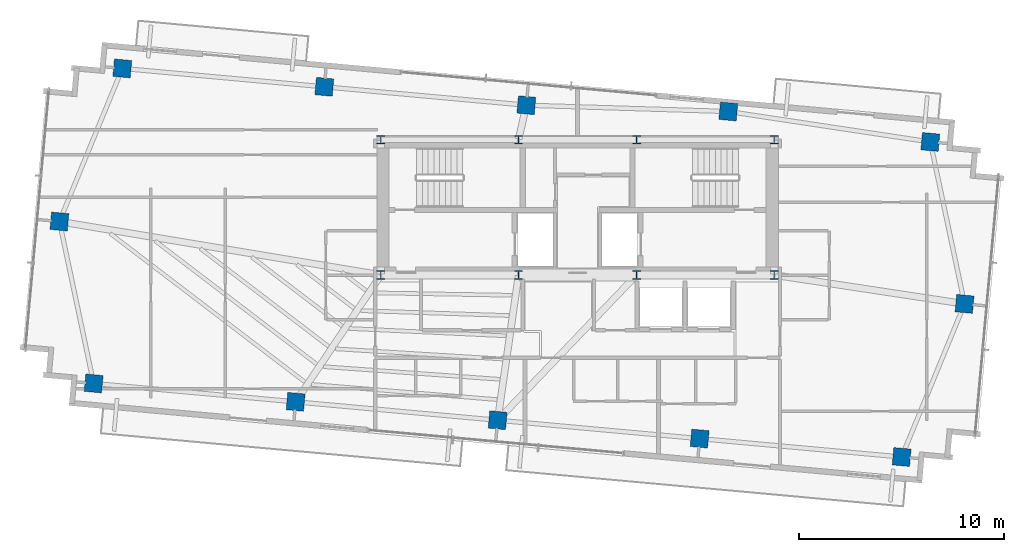
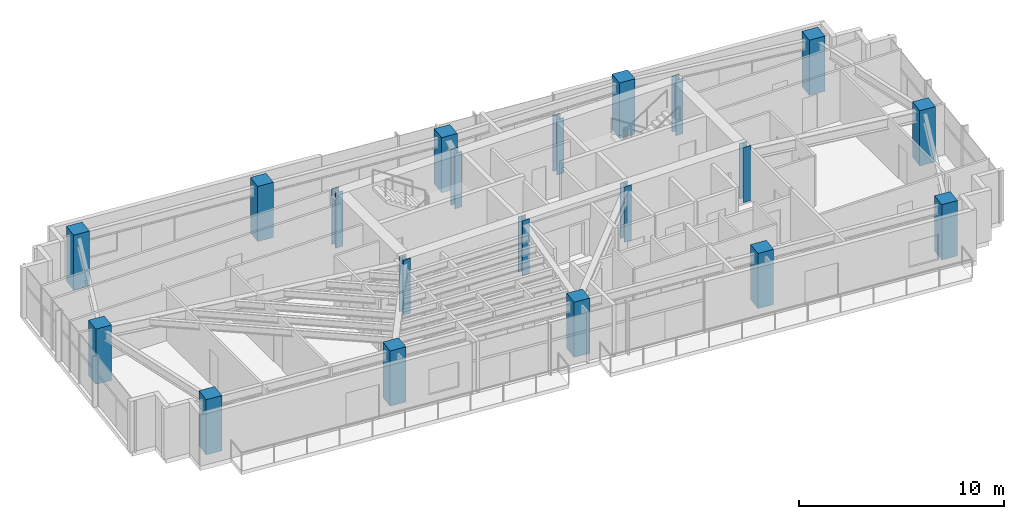
# One storey, part 1 of 22: 20 columns.
"""IFC4 building model written with IfcOpenShell, lengths in metres."""

from ifc_helpers import new_model, si_unit, direction, frame, origin, origin_2d, place, context, subcontext, project, spatial, rectangle, i_section, extrude, source, transform, mapped, material, material_profile, profile_set, type_object, type_shapes, element, save


model = new_model("IFC4")

# Units and contexts
model_context = context("Model", 3, precision=1e-05, world=origin(), true_north=direction((0.0, 1.0)))
body_context = subcontext(model_context, "Body", "Model", "MODEL_VIEW")
ifc_project = project(units=[si_unit("LENGTHUNIT", "METRE"), si_unit("AREAUNIT", "SQUARE_METRE"), si_unit("VOLUMEUNIT", "CUBIC_METRE"), si_unit("PLANEANGLEUNIT", "RADIAN"), si_unit("MASSUNIT", "GRAM", prefix="KILO")], contexts=[model_context])

# Site, building, storey
site_placement = place(None, origin())
site = spatial("IfcSite", under=ifc_project, at=site_placement, CompositionType="ELEMENT")
building_placement = place(site_placement, origin())
building = spatial("IfcBuilding", under=site, at=building_placement, Name="Astriad Promenade Condominiums", CompositionType="ELEMENT")
storey_placement = place(building_placement, frame((0.0, 0.0, 239.699951171875)))
storey = spatial("IfcBuildingStorey", under=building, at=storey_placement, Name="L69", CompositionType="ELEMENT", Elevation=239.699951171875)

# Columns
ifc_material_1 = material(Name="Steel ASTM A992 Grade 50", Category="steel")
ifc_material_profile_1 = material_profile(ifc_material_1, i_section(OverallWidth=0.4091796875, OverallDepth=0.42529296875, WebThickness=0.03271484375, FlangeThickness=0.052490234375, FilletRadius=0.017822265625, at=origin_2d()), Name="W14X283")
ifc_profile_set_1 = profile_set([ifc_material_profile_1], Name="Steel ASTM A992 Grade 50")
column_type_1 = type_object("IfcColumnType", Name="STEEL CORE PILASTER W14X283", PredefinedType="PILASTER", material=ifc_profile_set_1)
shared_shape_1 = source(origin(), body_context, "Body", "SweptSolid", [
    extrude(i_section(OverallWidth=0.4091796875, OverallDepth=0.42529296875, WebThickness=0.03271484375, FlangeThickness=0.052490234375, FilletRadius=0.017822265625, at=origin_2d()), origin(), (0.0, 0.0, 1.0), 3.296142578125),
])
type_shapes(column_type_1, [shared_shape_1])
for number, where, z_axis, x_axis, name in (
    (1, (26.39990234375, 17.39990234375, 0.001953125), (0.0, 0.0, 1.0), (1.0, 0.0, 0.0), "Core Pilaster Column CP1 (L69)"),
    (2, (33.1201171875, 17.39990234375, 0.001953125), (0.0, 0.0, 1.0), (1.0, 0.0, 0.0), "Core Pilaster Column CP2 (L69)"),
    (3, (38.8798828125, 17.39990234375, 0.001953125), (0.0, 0.0, 1.0), (1.0, 0.0, 0.0), "Core Pilaster Column CP3 (L69)"),
    (4, (45.60009765625, 17.39990234375, 0.001953125), (0.0, 0.0, 1.0), (1.0, 0.0, 0.0), "Core Pilaster Column CP4 (L69)"),
    (5, (26.39990234375, 24.0, 0.001953125), (0.0, 0.0, 1.0), (1.0, 0.0, 0.0), "Core Pilaster Column CP5 (L69)"),
    (6, (33.1201171875, 24.0, 0.001953125), (0.0, 0.0, 1.0), (1.0, 0.0, 0.0), "Core Pilaster Column CP6 (L69)"),
    (7, (38.8798828125, 24.0, 0.001953125), (0.0, 0.0, 1.0), (1.0, 0.0, 0.0), "Core Pilaster Column CP7 (L69)"),
    (8, (45.60009765625, 24.0, 0.001953125), (0.0, 0.0, 1.0), (1.0, 0.0, 0.0), "Core Pilaster Column CP8 (L69)"),
):
    element("IfcColumn", number, at=place(storey_placement, frame(where, z_axis=z_axis, x_axis=x_axis)), inside=storey, type_object=column_type_1, Name=name, PredefinedType="PILASTER", context=body_context, shape_type="MappedRepresentation", body=[
        mapped(shared_shape_1, transform((0.0, 0.0, 0.0), scale=1.0)),
    ])
ifc_material_2 = material(Name="Concrete C50/60", Category="concrete")
ifc_material_profile_2 = material_profile(ifc_material_2, rectangle(XDim=0.85009765625, YDim=0.85009765625, at=origin_2d()), Name="RC-COL-850X850")
ifc_profile_set_2 = profile_set([ifc_material_profile_2], Name="Concrete C50/60")
column_type_2 = type_object("IfcColumnType", Name="CONCRETE TOWER COLUMN 850X850", PredefinedType="COLUMN", material=ifc_profile_set_2)
shared_shape_2 = source(origin(), body_context, "Body", "SweptSolid", [
    extrude(rectangle(XDim=0.85009765625, YDim=0.85009765625, at=origin_2d()), origin(), (0.0, 0.0, 1.0), 3.296142578125),
])
type_shapes(column_type_2, [shared_shape_2])
for number, where, z_axis, x_axis, name in (
    (9, (12.3818359375, 12.106201171875, 0.001953125), (0.0, 0.0, 1.0), (0.995884398616, -0.090632580198, 0.0), "Perimeter Column PC01 (L69)"),
    (10, (22.2412109375, 11.208984375, 0.001953125), (0.0, 0.0, 1.0), (0.995884398616, -0.090632580198, 0.0), "Perimeter Column PC02 (L69)"),
    (11, (32.100341796875, 10.311767578125, 0.001953125), (0.0, 0.0, 1.0), (0.995884398616, -0.090632580198, 0.0), "Perimeter Column PC03 (L69)"),
    (12, (41.959716796875, 9.41455078125, 0.001953125), (0.0, 0.0, 1.0), (0.995884398616, -0.090632580198, 0.0), "Perimeter Column PC04 (L69)"),
    (13, (51.81884765625, 8.51708984375, 0.001953125), (0.0, 0.0, 1.0), (0.995884398616, -0.090632580198, 0.0), "Perimeter Column PC05 (L69)"),
    (14, (13.78125, 27.48291015625, 0.001953125), (0.0, 0.0, 1.0), (0.995884398616, -0.090632580198, 0.0), "Perimeter Column PC06 (L69)"),
    (15, (23.640380859375, 26.58544921875, 0.001953125), (0.0, 0.0, 1.0), (0.995884398616, -0.090632580198, 0.0), "Perimeter Column PC07 (L69)"),
    (16, (33.499755859375, 25.688232421875, 0.001953125), (0.0, 0.0, 1.0), (0.995884398616, -0.090632580198, 0.0), "Perimeter Column PC08 (L69)"),
    (17, (43.35888671875, 25.3798828125, 0.001953125), (0.0, 0.0, 1.0), (0.995884398616, -0.090632580198, 0.0), "Perimeter Column PC09 (L69)"),
    (18, (53.21826171875, 23.893798828125, 0.001953125), (0.0, 0.0, 1.0), (0.995884398616, -0.090632580198, 0.0), "Perimeter Column PC10 (L69)"),
    (19, (10.711181640625, 20.01025390625, 0.001953125), (0.0, 0.0, 1.0), (0.995884398616, -0.090632580198, 0.0), "Perimeter Column PC11 (L69)"),
    (20, (54.888671875, 15.98974609375, 0.001953125), (0.0, 0.0, 1.0), (0.995884398616, -0.090632580198, 0.0), "Perimeter Column PC12 (L69)"),
):
    element("IfcColumn", number, at=place(storey_placement, frame(where, z_axis=z_axis, x_axis=x_axis)), inside=storey, type_object=column_type_2, Name=name, PredefinedType="COLUMN", context=body_context, shape_type="MappedRepresentation", body=[
        mapped(shared_shape_2, transform((0.0, 0.0, 0.0), scale=1.0)),
    ])

save(model, "model.ifc")
